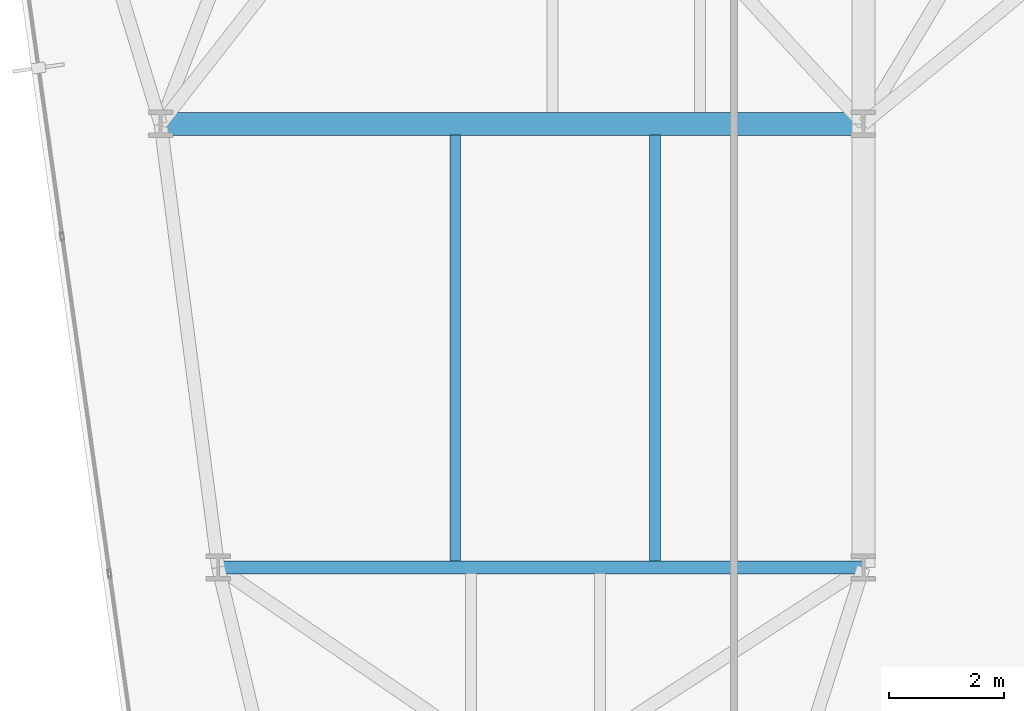
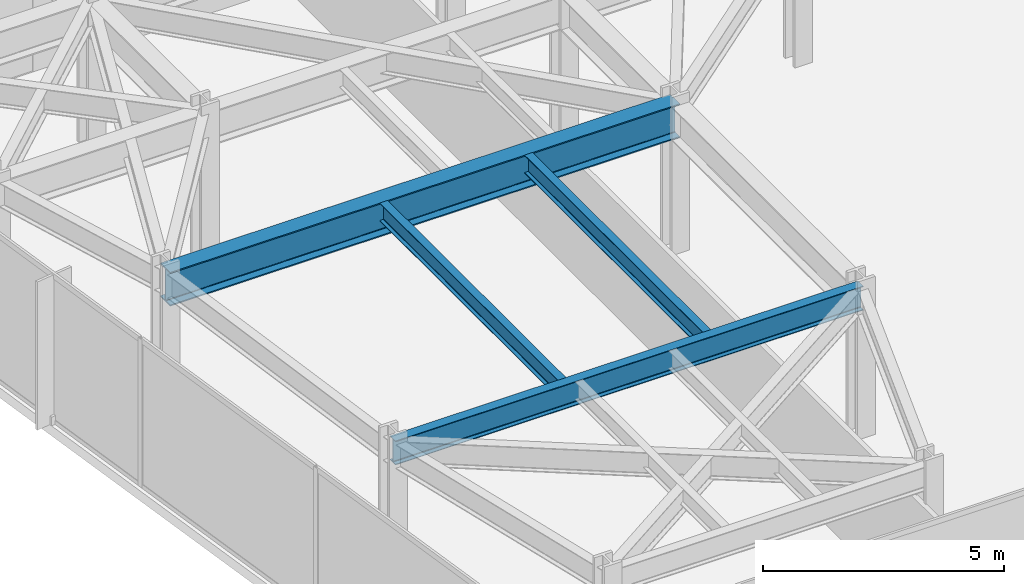
# One storey, part 6 of 26: 4 beams.
"""IFC4 building model written with IfcOpenShell, lengths in metres."""

from ifc_helpers import new_model, si_unit, direction, frame, origin, origin_2d, place, context, subcontext, project, spatial, i_section, extrude, material, material_profile, profile_set, type_object, element, save


model = new_model("IFC4")

# Units and contexts
model_context = context("Model", 3, precision=1e-05, world=origin(), true_north=direction((0.0, 1.0)))
body_context = subcontext(model_context, "Body", "Model", "MODEL_VIEW")
ifc_project = project(units=[si_unit("LENGTHUNIT", "METRE"), si_unit("AREAUNIT", "SQUARE_METRE"), si_unit("VOLUMEUNIT", "CUBIC_METRE"), si_unit("PLANEANGLEUNIT", "RADIAN"), si_unit("MASSUNIT", "GRAM", prefix="KILO")], contexts=[model_context])

# Site, building, storey
site_placement = place(None, origin())
site = spatial("IfcSite", under=ifc_project, at=site_placement, CompositionType="ELEMENT")
building_placement = place(site_placement, origin())
building = spatial("IfcBuilding", under=site, at=building_placement, Name="Kravanh Interchange Tower", CompositionType="ELEMENT")
storey_placement = place(building_placement, frame((0.0, 0.0, 108.0)))
storey = spatial("IfcBuildingStorey", under=building, at=storey_placement, Name="L25", CompositionType="ELEMENT", Elevation=108.0)

# Beams
ifc_material_1 = material(Name="Structural Steel S355", Category="steel")
ifc_material_profile_1 = material_profile(ifc_material_1, i_section(OverallWidth=0.39990234375, OverallDepth=0.85595703125, WebThickness=0.018310546875, FlangeThickness=0.029296875, FilletRadius=0.02490234375, at=origin_2d()), Name="W33X201")
ifc_profile_set_1 = profile_set([ifc_material_profile_1], Name="Structural Steel S355")
beam_type_1 = type_object("IfcBeamType", Name="Floor Beam W33X201 Structural Steel S355", PredefinedType="BEAM", material=ifc_profile_set_1)
beam_1_placement = place(storey_placement, frame((15.0, 22.199951171875, 3.322021484375), z_axis=(1.0, 0.0, 0.0), x_axis=(0.0, 1.0, 0.0)))
element("IfcBeam", 1, at=beam_1_placement, inside=storey, type_object=beam_type_1, Name="L25 Primary Floor Girder 108", PredefinedType="BEAM", context=body_context, shape_type="SweptSolid", body=[
    extrude(i_section(OverallWidth=0.39990234375, OverallDepth=0.85595703125, WebThickness=0.018310546875, FlangeThickness=0.029296875, FilletRadius=0.02490234375, at=origin_2d()), origin(), (0.0, 0.0, 1.0), 12.199951171875),
])
ifc_material_2 = material(Name="Structural Steel S355", Category="steel")
ifc_material_profile_2 = material_profile(ifc_material_2, i_section(OverallWidth=0.18994140625, OverallDepth=0.45703125, WebThickness=0.009033203125, FlangeThickness=0.014404296875, FilletRadius=0.01806640625, at=origin_2d()), Name="W18X50")
ifc_profile_set_2 = profile_set([ifc_material_profile_2], Name="Structural Steel S355")
beam_type_2 = type_object("IfcBeamType", Name="Floor Joist W18X50 Structural Steel S355", PredefinedType="JOIST", material=ifc_profile_set_2)
for number, where, z_axis, x_axis, name in (
    (2, (20.114990234375, 14.60888671875, 3.521484375), (0.0, 1.0, 0.0), (-1.0, 0.0, 0.0), "L25 Secondary Floor Joist 5"),
    (3, (23.580078125, 14.60888671875, 3.521484375), (0.0, 1.0, 0.0), (-1.0, 0.0, 0.0), "L25 Secondary Floor Joist 6"),
):
    element("IfcBeam", number, at=place(storey_placement, frame(where, z_axis=z_axis, x_axis=x_axis)), inside=storey, type_object=beam_type_2, Name=name, PredefinedType="JOIST", context=body_context, shape_type="SweptSolid", body=[
        extrude(i_section(OverallWidth=0.18994140625, OverallDepth=0.45703125, WebThickness=0.009033203125, FlangeThickness=0.014404296875, FilletRadius=0.01806640625, at=origin_2d()), origin(), (0.0, 0.0, 1.0), 7.39599609375),
    ])
ifc_material_3 = material(Name="Structural Steel S355", Category="steel")
ifc_material_profile_3 = material_profile(ifc_material_3, i_section(OverallWidth=0.22802734375, OverallDepth=0.60791015625, WebThickness=0.01123046875, FlangeThickness=0.017333984375, FilletRadius=0.02197265625, at=origin_2d()), Name="W24X76")
ifc_profile_set_3 = profile_set([ifc_material_profile_3], Name="Structural Steel S355")
beam_type_3 = type_object("IfcBeamType", Name="Floor Spandrel W24X76 Structural Steel S355", PredefinedType="SPANDREL", material=ifc_profile_set_3)
beam_2_placement = place(storey_placement, frame((16.0, 14.5, 3.446044921875), z_axis=(1.0, 0.0, 0.0), x_axis=(0.0, 1.0, 0.0)))
element("IfcBeam", 4, at=beam_2_placement, inside=storey, type_object=beam_type_3, Name="L25 Perimeter Spandrel 101", PredefinedType="SPANDREL", context=body_context, shape_type="SweptSolid", body=[
    extrude(i_section(OverallWidth=0.22802734375, OverallDepth=0.60791015625, WebThickness=0.01123046875, FlangeThickness=0.017333984375, FilletRadius=0.02197265625, at=origin_2d()), origin(), (0.0, 0.0, 1.0), 11.199951171875),
])

save(model, "model.ifc")
